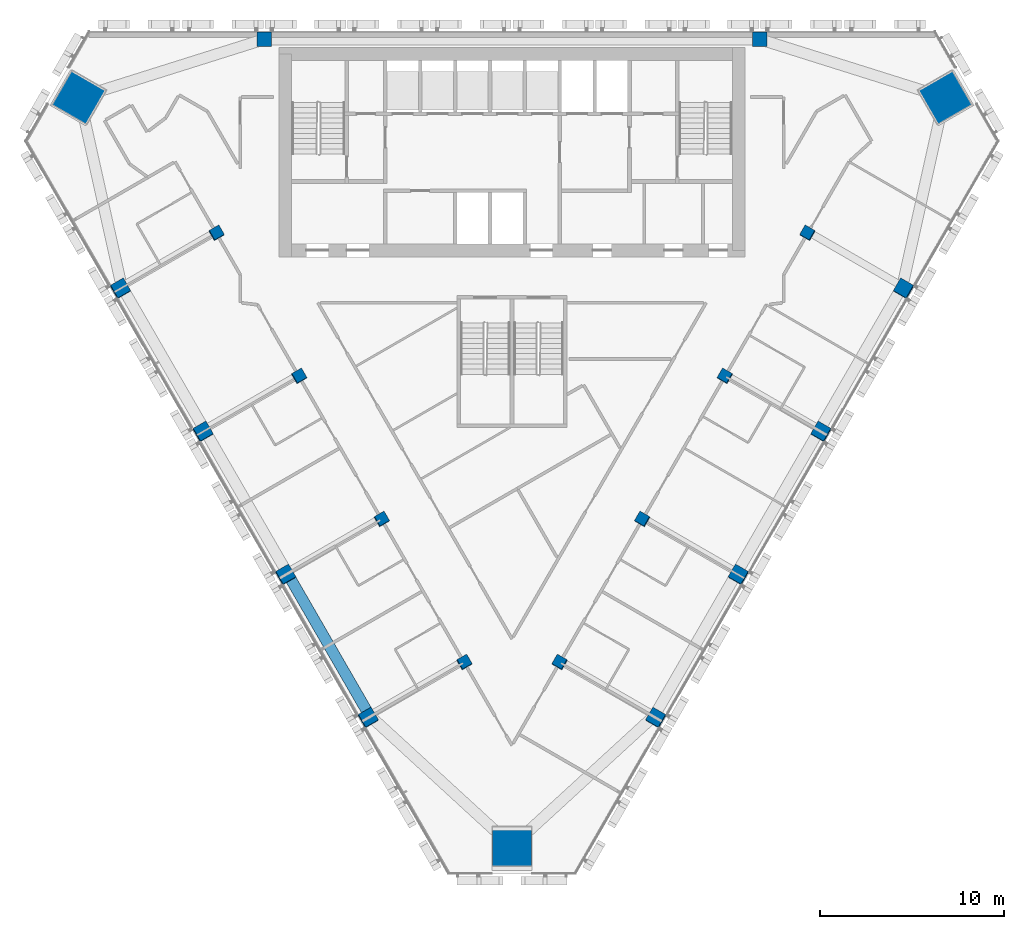
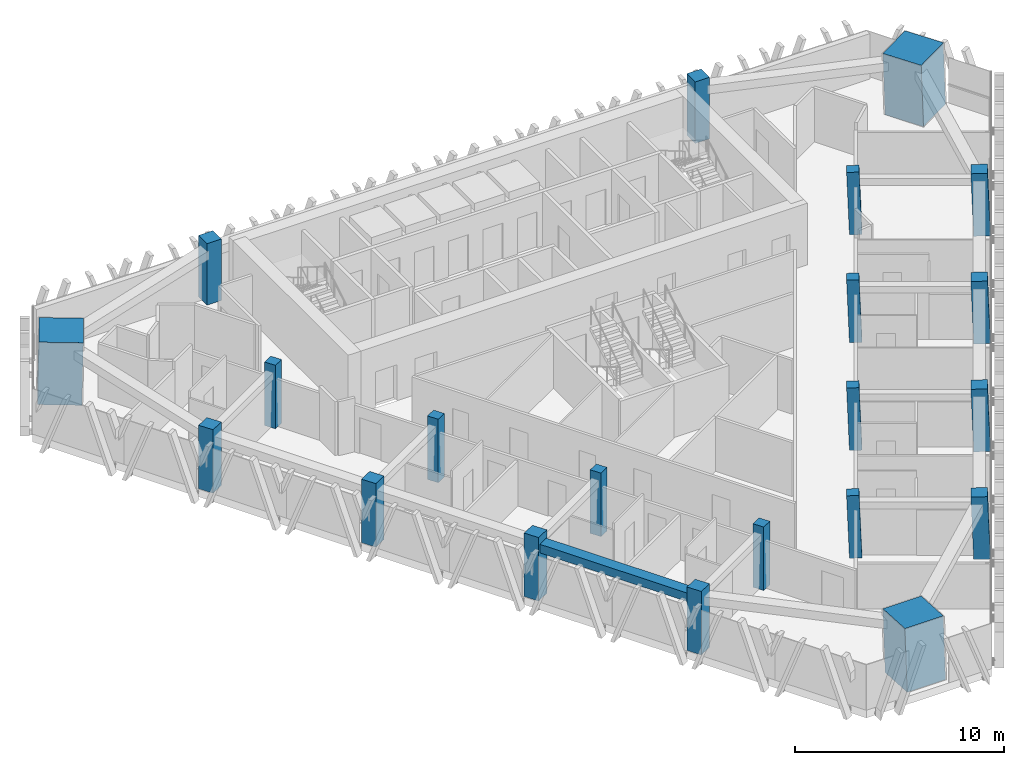
# One storey, part 1 of 15: 21 columns, 1 beam.
"""IFC4 building model written with IfcOpenShell, lengths in metres."""

from ifc_helpers import new_model, si_unit, direction, frame, origin, origin_2d, place, context, subcontext, project, spatial, rectangle, extrude, material, material_profile, profile_set, type_object, element, save


model = new_model("IFC4")

# Units and contexts
model_context = context("Model", 3, precision=1e-05, world=origin(), true_north=direction((0.0, 1.0)))
body_context = subcontext(model_context, "Body", "Model", "MODEL_VIEW")
ifc_project = project(units=[si_unit("LENGTHUNIT", "METRE"), si_unit("AREAUNIT", "SQUARE_METRE"), si_unit("VOLUMEUNIT", "CUBIC_METRE"), si_unit("PLANEANGLEUNIT", "RADIAN"), si_unit("MASSUNIT", "GRAM", prefix="KILO")], contexts=[model_context])

# Site, building, storey
site_placement = place(None, origin())
site = spatial("IfcSite", under=ifc_project, at=site_placement, CompositionType="ELEMENT")
building_placement = place(site_placement, origin())
building = spatial("IfcBuilding", under=site, at=building_placement, Name="Altiplano Prism Tower", CompositionType="ELEMENT")
storey_placement = place(building_placement, frame((0.0, 0.0, 171.0)))
storey = spatial("IfcBuildingStorey", under=building, at=storey_placement, Name="L44", CompositionType="ELEMENT", Elevation=171.0)

# Columns
ifc_material_1 = material(Name="Concrete C60/75", Category="concrete")
ifc_material_profile_1 = material_profile(ifc_material_1, rectangle(XDim=0.60009765625, YDim=0.60009765625, at=origin_2d()), Name="Inner column 600")
ifc_profile_set_1 = profile_set([ifc_material_profile_1], Name="Concrete C60/75")
column_type_1 = type_object("IfcColumnType", Name="Inner column 600", PredefinedType="COLUMN", material=ifc_profile_set_1)
for number, where, z_axis, x_axis, name in (
    (1, (68.891845703125, 93.982421875, -0.018310546875), (0.022153634206, 0.038480930364, 0.999013730882), (-0.864979728815, -0.500331280926, 0.038453583269), "Inner column I11 L44"),
    (2, (73.391845703125, 86.188232421875, -0.018310546875), (0.022153634206, 0.038480930364, 0.999013730882), (-0.864979737564, -0.50033126583, 0.038453582882), "Inner column I12 L44"),
    (3, (77.891845703125, 78.39404296875, -0.018310546875), (0.02215369191, 0.038413282303, 0.999016333038), (-0.865364679312, -0.499669092789, 0.038402727909), "Inner column I13 L44"),
    (4, (82.391845703125, 70.599853515625, -0.018310546875), (0.02215369191, 0.038413282303, 0.999016333038), (-0.865364679312, -0.499669092789, 0.038402727909), "Inner column I14 L44"),
    (5, (87.608154296875, 70.599853515625, -0.018310546875), (-0.02215369191, 0.038413282303, 0.999016333038), (-0.500652759639, -0.865364210869, 0.022171982582), "Inner column I21 L44"),
    (6, (92.108154296875, 78.39404296875, -0.018310546875), (-0.02215369191, 0.038413282303, 0.999016333038), (-0.500652759639, -0.865364210869, 0.022171982582), "Inner column I22 L44"),
    (7, (96.608154296875, 86.188232421875, -0.018310546875), (-0.022153634206, 0.038480930364, 0.999013730882), (-0.501317534198, -0.86497852137, 0.022201069202), "Inner column I23 L44"),
    (8, (101.108154296875, 93.982421875, -0.018310546875), (-0.022153634206, 0.038480930364, 0.999013730882), (-0.501317534198, -0.86497852137, 0.022201069202), "Inner column I24 L44"),
):
    element("IfcColumn", number, at=place(storey_placement, frame(where, z_axis=z_axis, x_axis=x_axis)), inside=storey, type_object=column_type_1, Name=name, PredefinedType="COLUMN", context=body_context, shape_type="SweptSolid", body=[
        extrude(rectangle(XDim=0.60009765625, YDim=0.60009765625, at=origin_2d()), origin(), (0.0, 0.0, 1.0), 3.603759765625),
    ])
ifc_material_2 = material(Name="Concrete C70/85", Category="concrete")
ifc_material_profile_2 = material_profile(ifc_material_2, rectangle(XDim=2.1201171875, YDim=2.1201171875, at=origin_2d()), Name="Mega column infill 2200")
ifc_profile_set_2 = profile_set([ifc_material_profile_2], Name="Concrete C70/85")
column_type_2 = type_object("IfcColumnType", Name="Mega column infill 2200", PredefinedType="COLUMN", material=ifc_profile_set_2)
column_1_placement = place(storey_placement, frame((61.3427734375, 101.35302734375, 0.0), z_axis=(0.028401796786, 0.009286506348, 0.999553449666), x_axis=(-0.866206321778, 0.499287135176, 0.019974102218)))
element("IfcColumn", 9, at=column_1_placement, inside=storey, type_object=column_type_2, Name="Mega column M0 L44", PredefinedType="COLUMN", context=body_context, shape_type="SweptSolid", body=[
    extrude(rectangle(XDim=2.1201171875, YDim=2.1201171875, at=origin_2d()), origin(), (0.0, 0.0, 1.0), 3.601806640625),
])
column_2_placement = place(storey_placement, frame((85.0, 60.377685546875, 0.0), z_axis=(0.0, 0.058356907999, 0.998295783467), x_axis=(-1.0, 0.0, 0.0)))
element("IfcColumn", 10, at=column_2_placement, inside=storey, type_object=column_type_2, Name="Mega column M1 L44", PredefinedType="COLUMN", context=body_context, shape_type="SweptSolid", body=[
    extrude(rectangle(XDim=2.1201171875, YDim=2.1201171875, at=origin_2d()), origin(), (0.0, 0.0, 1.0), 3.606201171875),
])
column_3_placement = place(storey_placement, frame((108.6572265625, 101.35302734375, 0.0), z_axis=(-0.028401796786, 0.009286506348, 0.999553449666), x_axis=(0.498881183205, -0.866385379601, 0.022224739778)))
element("IfcColumn", 11, at=column_3_placement, inside=storey, type_object=column_type_2, Name="Mega column M2 L44", PredefinedType="COLUMN", context=body_context, shape_type="SweptSolid", body=[
    extrude(rectangle(XDim=2.1201171875, YDim=2.1201171875, at=origin_2d()), origin(), (0.0, 0.0, 1.0), 3.601806640625),
])
ifc_material_profile_3 = material_profile(ifc_material_1, rectangle(XDim=0.800048828125, YDim=0.800048828125, at=origin_2d()), Name="Perimeter column 800")
ifc_profile_set_3 = profile_set([ifc_material_profile_3], Name="Concrete C60/75")
column_type_3 = type_object("IfcColumnType", Name="Perimeter column 800", PredefinedType="COLUMN", material=ifc_profile_set_3)
for number, where, z_axis, x_axis, name in (
    (12, (98.5, 104.550048828125, 0.0), (0.0, 0.0, 1.0), (1.0, 0.0, 0.0), "Perimeter column P01 L44"),
    (13, (71.5, 104.550048828125, 0.0), (0.0, 0.0, 1.0), (1.0, 0.0, 0.0), "Perimeter column P04 L44"),
):
    element("IfcColumn", number, at=place(storey_placement, frame(where, z_axis=z_axis, x_axis=x_axis)), inside=storey, type_object=column_type_3, Name=name, PredefinedType="COLUMN", context=body_context, shape_type="SweptSolid", body=[
        extrude(rectangle(XDim=0.800048828125, YDim=0.800048828125, at=origin_2d()), origin(), (0.0, 0.0, 1.0), 3.60009765625),
    ])
for number, where, z_axis, x_axis, name in (
    (14, (63.65234375, 90.957275390625, -0.024169921875), (0.02215519141, 0.038415882353, 0.999016199807), (-0.865361947816, -0.499673614488, 0.038405445666), "Perimeter column P11 L44"),
    (15, (68.15234375, 83.1630859375, -0.024169921875), (0.02215519141, 0.038415882353, 0.999016199807), (-0.865361947816, -0.499673614488, 0.038405445666), "Perimeter column P12 L44"),
    (16, (72.65234375, 75.368896484375, -0.024169921875), (0.02215519141, 0.038415882353, 0.999016199807), (-0.865364621668, -0.499668992839, 0.038405327245), "Perimeter column P13 L44"),
    (17, (77.15234375, 67.574462890625, -0.024169921875), (0.022155133694, 0.038483534979, 0.999013597298), (-0.864982365973, -0.50032653087, 0.038456066681), "Perimeter column P14 L44"),
    (18, (92.84765625, 67.574462890625, -0.024169921875), (-0.022155133694, 0.038483534979, 0.999013597298), (-0.501312932815, -0.864981144328, 0.022202777955), "Perimeter column P21 L44"),
    (19, (97.34765625, 75.368896484375, -0.024169921875), (-0.02215519141, 0.038415882353, 0.999016199807), (-0.50065279292, -0.865364153162, 0.02217348332), "Perimeter column P22 L44"),
    (20, (101.84765625, 83.1630859375, -0.024169921875), (-0.02215519141, 0.038415882353, 0.999016199807), (-0.500657414572, -0.865361484564, 0.022173278208), "Perimeter column P23 L44"),
    (21, (106.34765625, 90.957275390625, -0.024169921875), (-0.02215519141, 0.038415882353, 0.999016199807), (-0.500657414572, -0.865361484564, 0.022173278208), "Perimeter column P24 L44"),
):
    element("IfcColumn", number, at=place(storey_placement, frame(where, z_axis=z_axis, x_axis=x_axis)), inside=storey, type_object=column_type_3, Name=name, PredefinedType="COLUMN", context=body_context, shape_type="SweptSolid", body=[
        extrude(rectangle(XDim=0.800048828125, YDim=0.800048828125, at=origin_2d()), origin(), (0.0, 0.0, 1.0), 3.603515625),
    ])

# Beam
ifc_material_profile_4 = material_profile(ifc_material_1, rectangle(XDim=0.60009765625, YDim=0.5, at=origin_2d()), Name="Edge beam 600x500")
ifc_profile_set_4 = profile_set([ifc_material_profile_4], Name="Concrete C60/75")
beam_type = type_object("IfcBeamType", Name="Edge beam 600x500", PredefinedType="SPANDREL", material=ifc_profile_set_4)
beam_placement = place(storey_placement, frame((72.872802734375, 75.265869140625, 2.89990234375), z_axis=(0.499993714791, -0.866029032521, 0.0), x_axis=(0.866029032521, 0.499993714791, 0.0)))
element("IfcBeam", 22, at=beam_placement, inside=storey, type_object=beam_type, Name="Edge beam P13-P14 L45", PredefinedType="SPANDREL", context=body_context, shape_type="SweptSolid", body=[
    extrude(rectangle(XDim=0.60009765625, YDim=0.5, at=origin_2d()), origin(), (0.0, 0.0, 1.0), 8.43994140625),
])

save(model, "model.ifc")
